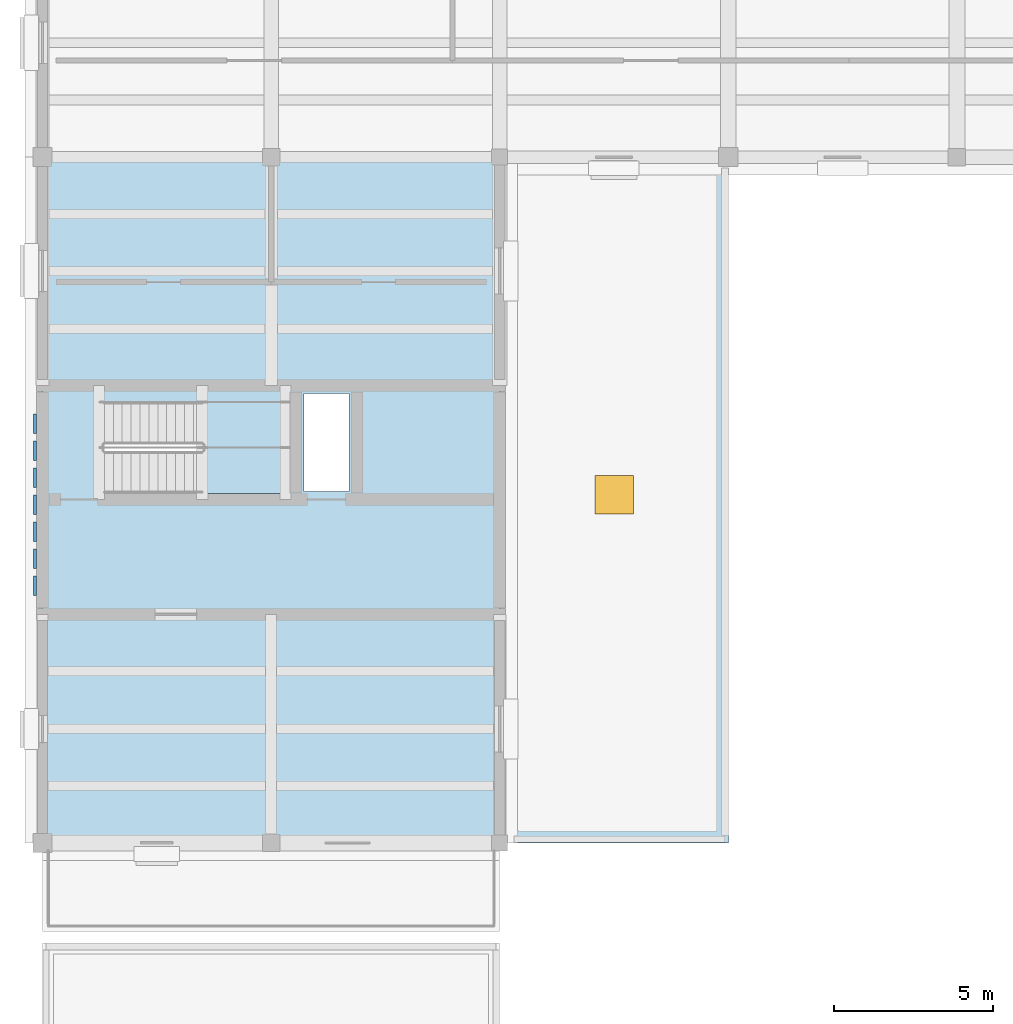
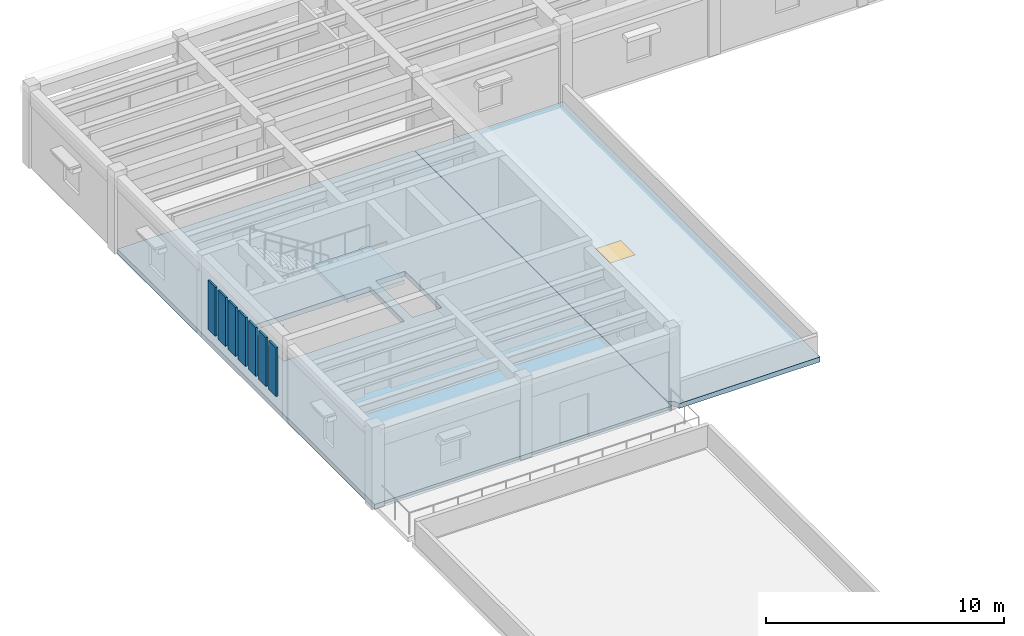
# One storey, part 6 of 27: 7 plates, 3 slabs, 1 window, 1 opening, 1 element without a shape of its own.
"""IFC4 building model written with IfcOpenShell, lengths in metres."""

from ifc_helpers import new_model, si_unit, direction, frame, origin, origin_2d, place, context, subcontext, project, spatial, polyline, rectangle, outline, extrude, material, layer, layer_set, type_object, element, fill, aggregate, save


model = new_model("IFC4")

# Units and contexts
model_context = context("Model", 3, precision=1e-05, world=origin(), true_north=direction((0.0, 1.0)))
body_context = subcontext(model_context, "Body", "Model", "MODEL_VIEW")
ifc_project = project(units=[si_unit("LENGTHUNIT", "METRE"), si_unit("AREAUNIT", "SQUARE_METRE"), si_unit("VOLUMEUNIT", "CUBIC_METRE"), si_unit("PLANEANGLEUNIT", "RADIAN"), si_unit("MASSUNIT", "GRAM", prefix="KILO")], contexts=[model_context])

# Site, building, storey
site_placement = place(None, origin())
site = spatial("IfcSite", under=ifc_project, at=site_placement, CompositionType="ELEMENT")
building_placement = place(site_placement, origin())
building = spatial("IfcBuilding", under=site, at=building_placement, Name="Mithqara Police Headquarters", CompositionType="ELEMENT")
storey_placement = place(building_placement, frame((0.0, 0.0, 18.0)))
storey = spatial("IfcBuildingStorey", under=building, at=storey_placement, Name="L04", CompositionType="ELEMENT", Elevation=18.0)

# Slab
ifc_material_1 = material(Name="Concrete C40/50", Category="concrete")
ifc_layer_1 = layer(ifc_material_1, 0.260009765625, Name="Concrete C40/50")
ifc_layer_set_1 = layer_set([ifc_layer_1], Name="Concrete C40/50")
slab_type_1 = type_object("IfcSlabType", Name="FLOOR SLAB 260", PredefinedType="FLOOR", material=ifc_layer_set_1)
slab_1_placement = place(storey_placement, frame((0.0, 0.0, -0.260009765625)))
element("IfcSlab", 1, at=slab_1_placement, inside=storey, type_object=slab_type_1, Name="L04 Structural Slab L04-V5W", PredefinedType="FLOOR", context=body_context, shape_type="SweptSolid", body=[
    extrude(outline(polyline([(22.199951171875, 57.0), (7.800048828125, 57.0), (7.800048828125, 78.60009765625), (9.60009765625, 78.60009765625), (13.800048828125, 78.60009765625), (22.199951171875, 78.60009765625), (22.199951171875, 57.0)]), holes=[polyline([(9.75, 68.0), (15.60009765625, 68.0), (15.60009765625, 70.89990234375), (9.75, 70.89990234375), (9.75, 68.0)]), polyline([(17.449951171875, 68.070068359375), (17.449951171875, 71.14990234375), (16.030029296875, 71.14990234375), (16.030029296875, 68.070068359375), (17.449951171875, 68.070068359375)])]), origin(), (0.0, 0.0, 1.0), 0.260009765625),
])

# Slab, opening, window
ifc_layer_2 = layer(ifc_material_1, 0.25, Name="Concrete C40/50")
ifc_layer_set_2 = layer_set([ifc_layer_2], Name="Concrete C40/50")
slab_type_2 = type_object("IfcSlabType", Name="ROOF SLAB 250", PredefinedType="ROOF", material=ifc_layer_set_2)
slab_2_placement = place(storey_placement, frame((0.0, 0.0, -0.25)))
slab_2 = element("IfcSlab", 2, at=slab_2_placement, inside=storey, type_object=slab_type_2, Name="L04 Flat Insulated Roof over L03 Wing 3", PredefinedType="ROOF", context=body_context, shape_type="SweptSolid", body=[
    extrude(outline(polyline([(29.39990234375, 57.0), (22.550048828125, 57.0), (22.54833984375, 57.0341796875), (22.543212890625, 57.068359375), (22.534912109375, 57.1015625), (22.5234375, 57.1337890625), (22.5087890625, 57.1650390625), (22.490966796875, 57.1943359375), (22.470703125, 57.221923828125), (22.447509765625, 57.24755859375), (22.422119140625, 57.2705078125), (22.394287109375, 57.291015625), (22.364990234375, 57.30859375), (22.333984375, 57.323486328125), (22.301513671875, 57.3349609375), (22.268310546875, 57.34326171875), (22.234375, 57.348388671875), (22.219970703125, 57.34912109375), (22.219970703125, 78.580078125), (29.39990234375, 78.580078125), (29.39990234375, 57.0)]), holes=[polyline([(25.2099609375, 67.364990234375), (26.409912109375, 67.364990234375), (26.409912109375, 68.56494140625), (25.2099609375, 68.56494140625), (25.2099609375, 67.364990234375)])]), origin(), (0.0, 0.0, 1.0), 0.25),
])
opening_placement = place(slab_2_placement, frame((25.81005859375, 67.965087890625, -0.010009765625)))
opening = element("IfcOpeningElement", 3, at=opening_placement, cuts=slab_2, Name="Opening SK-01", PredefinedType="OPENING", context=body_context, shape_type="SweptSolid", body=[
    extrude(rectangle(XDim=1.199951171875, YDim=1.199951171875, at=origin_2d()), origin(), (0.0, 0.0, 1.0), 0.27001953125),
])
ifc_material_2 = material(Name="Spectrally selective double low-e glass", Category="glass")
window_type = type_object("IfcWindowType", Name="SKYLIGHT 1200X1200", PartitioningType="SINGLE_PANEL", PredefinedType="SKYLIGHT", material=ifc_material_2)
window_placement = place(opening_placement, frame((0.0, 0.0, 0.2099609375)))
window = element("IfcWindow", 4, at=window_placement, inside=storey, type_object=window_type, Name="L04 Roof Daylight Skylight and Access Hatch 9", OverallHeight=1.199951171875, OverallWidth=1.199951171875, PartitioningType="SINGLE_PANEL", PredefinedType="SKYLIGHT", context=body_context, shape_type="SweptSolid", body=[
    extrude(rectangle(XDim=1.199951171875, YDim=1.199951171875, at=origin_2d()), origin(), (0.0, 0.0, 1.0), 0.050048828125),
])
fill(opening, window)

# Stair, slab
stair_type = type_object("IfcStairType", Name="STAIR ST 03-R24", PredefinedType="HALF_TURN_STAIR", material=ifc_material_1)
stair_placement = place(storey_placement, origin())
stair = element("IfcStair", 5, at=stair_placement, inside=storey, type_object=stair_type, Name="L04 Core C3 Operations West Exit Stair", PredefinedType="HALF_TURN_STAIR")
ifc_layer_3 = layer(ifc_material_1, 0.199951171875, Name="Concrete C40/50")
ifc_layer_set_3 = layer_set([ifc_layer_3], Name="Concrete C40/50")
slab_type_3 = type_object("IfcSlabType", Name="STAIR LANDING 200", PredefinedType="LANDING", material=ifc_layer_set_3)
slab_3_placement = place(storey_placement, frame((0.0, 0.0, 1.89990234375)))
slab_3 = element("IfcSlab", 6, at=slab_3_placement, type_object=slab_type_3, Name="ST-03 landing 1", PredefinedType="LANDING", context=body_context, shape_type="SweptSolid", body=[
    extrude(outline(polyline([(12.830078125, 68.0), (15.60009765625, 68.0), (15.60009765625, 70.89990234375), (12.830078125, 70.89990234375), (12.830078125, 68.0)])), origin(), (0.0, 0.0, 1.0), 0.2001953125),
])
aggregate(stair, [slab_3])

# Plates
ifc_material_3 = material(Name="Limestone ashlar masonry, 45 MPa", Category="masonry")
ifc_layer_4 = layer(ifc_material_3, 0.10009765625, Name="Limestone ashlar masonry, 45 MPa")
ifc_layer_set_4 = layer_set([ifc_layer_4], Name="Limestone ashlar masonry, 45 MPa")
plate_type = type_object("IfcPlateType", Name="STONE SCREEN 100", PredefinedType="USERDEFINED", material=ifc_layer_set_4)
for number, where, z_axis, x_axis, name in (
    (7, (7.56494140625, 65.10009765625, 0.89990234375), (0.0, 0.0, 1.0), (0.0, 1.0, 0.0), "L04 Core C3 Pierced Vertical-Slit Screen 1"),
    (8, (7.56494140625, 65.949951171875, 0.89990234375), (0.0, 0.0, 1.0), (0.0, 1.0, 0.0), "L04 Core C3 Pierced Vertical-Slit Screen 2"),
    (9, (7.56494140625, 66.800048828125, 0.89990234375), (0.0, 0.0, 1.0), (0.0, 1.0, 0.0), "L04 Core C3 Pierced Vertical-Slit Screen 3"),
    (10, (7.56494140625, 67.64990234375, 0.89990234375), (0.0, 0.0, 1.0), (0.0, 1.0, 0.0), "L04 Core C3 Pierced Vertical-Slit Screen 4"),
    (11, (7.56494140625, 68.5, 0.89990234375), (0.0, 0.0, 1.0), (0.0, 1.0, 0.0), "L04 Core C3 Pierced Vertical-Slit Screen 5"),
    (12, (7.56494140625, 69.35009765625, 0.89990234375), (0.0, 0.0, 1.0), (0.0, 1.0, 0.0), "L04 Core C3 Pierced Vertical-Slit Screen 6"),
    (13, (7.56494140625, 70.199951171875, 0.89990234375), (0.0, 0.0, 1.0), (0.0, 1.0, 0.0), "L04 Core C3 Pierced Vertical-Slit Screen 7"),
):
    element("IfcPlate", number, at=place(storey_placement, frame(where, z_axis=z_axis, x_axis=x_axis)), inside=storey, type_object=plate_type, Name=name, ObjectType="STONE SCREEN", PredefinedType="USERDEFINED", context=body_context, shape_type="SweptSolid", body=[
        extrude(rectangle(XDim=0.6201171875, YDim=0.10009765625, at=origin_2d()), origin(), (0.0, 0.0, 1.0), 2.5),
    ])

save(model, "model.ifc")
